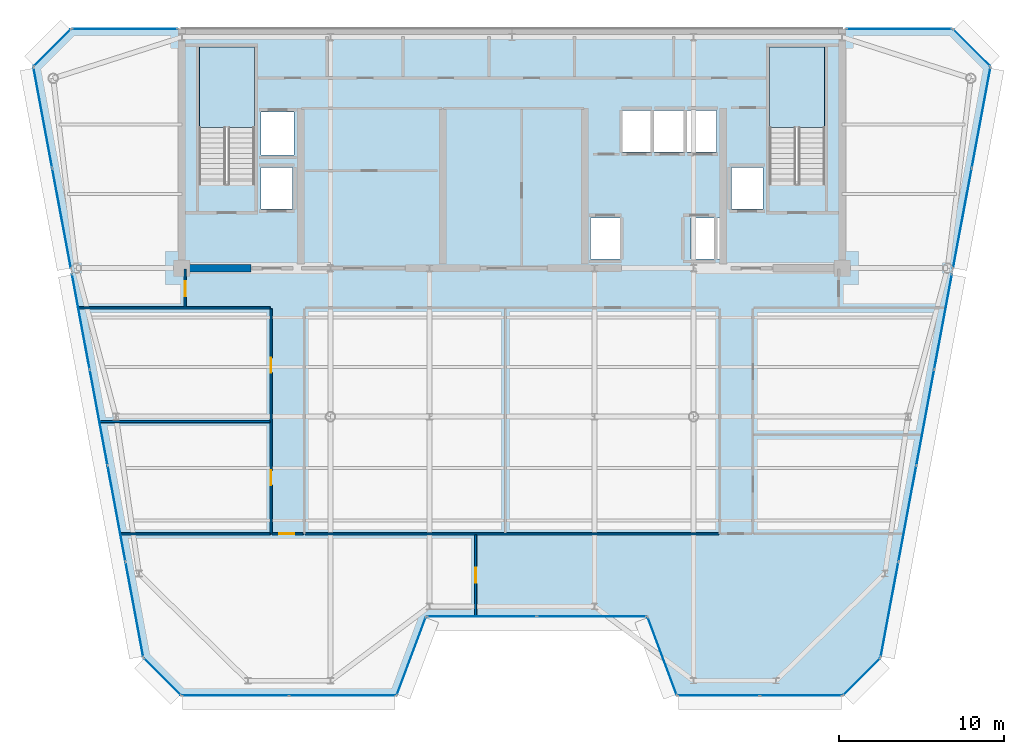
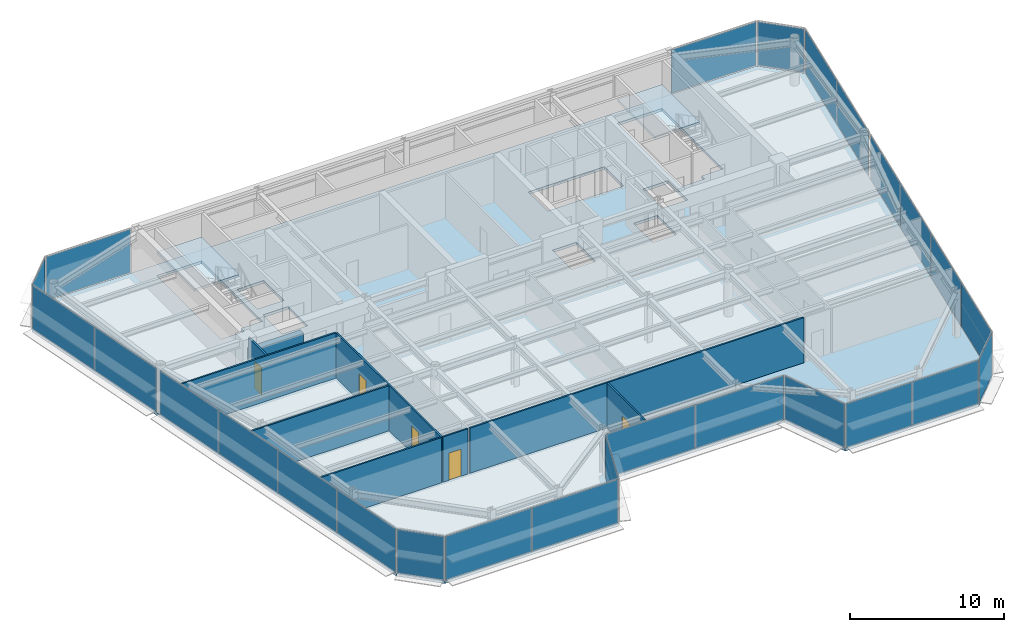
# One storey, part 9 of 19: 26 plates, 9 walls, 5 doors, 3 slabs, 5 openings, 17 elements without a shape of their own.
"""IFC4 building model written with IfcOpenShell, lengths in metres."""

from ifc_helpers import new_model, si_unit, direction, frame, frame_2d, origin, origin_2d, place, context, subcontext, project, spatial, polyline, rectangle, outline, extrude, source, transform, mapped, material, layer, layer_set, type_object, element, fill, aggregate, save


model = new_model("IFC4")

# Units and contexts
model_context = context("Model", 3, precision=1e-05, world=origin(), true_north=direction((0.0, 1.0)))
body_context = subcontext(model_context, "Body", "Model", "MODEL_VIEW")
ifc_project = project(units=[si_unit("LENGTHUNIT", "METRE"), si_unit("AREAUNIT", "SQUARE_METRE"), si_unit("VOLUMEUNIT", "CUBIC_METRE"), si_unit("PLANEANGLEUNIT", "RADIAN"), si_unit("MASSUNIT", "GRAM", prefix="KILO")], contexts=[model_context])

# Site, building, storey
site_placement = place(None, origin())
site = spatial("IfcSite", under=ifc_project, at=site_placement, CompositionType="ELEMENT")
building_placement = place(site_placement, origin())
building = spatial("IfcBuilding", under=site, at=building_placement, Name="Vaeldorn Concourse Tower", CompositionType="ELEMENT")
storey_placement = place(building_placement, frame((0.0, 0.0, 249.800048828125)))
storey = spatial("IfcBuildingStorey", under=building, at=storey_placement, Name="L64", CompositionType="ELEMENT", Elevation=249.800048828125)

# Stair, slab
ifc_material_1 = material(Name="Precast concrete C40/50", Category="concrete")
stair_type = type_object("IfcStairType", Name="STR-DOG-24x158", PredefinedType="HALF_TURN_STAIR", material=ifc_material_1)
stair_1_placement = place(storey_placement, origin())
stair_1 = element("IfcStair", 1, at=stair_1_placement, inside=storey, type_object=stair_type, Name="L64 West Core Exit Stair ST-1", PredefinedType="HALF_TURN_STAIR")
ifc_material_2 = material(Name="Concrete C40/50", Category="concrete")
ifc_layer_1 = layer(ifc_material_2, 0.199951171875)
ifc_layer_set_1 = layer_set([ifc_layer_1], Name="Concrete C40/50")
slab_type_1 = type_object("IfcSlabType", Name="SL-STAIR-LANDING", PredefinedType="LANDING", material=ifc_layer_set_1)
slab_1_placement = place(storey_placement, frame((0.0, 0.0, 1.699951171875)))
slab_1 = element("IfcSlab", 2, at=slab_1_placement, type_object=slab_type_1, Name="ST-1 landing 1", PredefinedType="LANDING", context=body_context, shape_type="SweptSolid", body=[
    extrude(outline(polyline([(18.39990234375, 45.010009765625), (18.39990234375, 49.89990234375), (15.050048828125, 49.89990234375), (15.050048828125, 45.010009765625), (18.39990234375, 45.010009765625)])), origin(), (0.0, 0.0, 1.0), 0.199951171875),
])
aggregate(stair_1, [slab_1])

stair_2_placement = place(storey_placement, origin())
stair_2 = element("IfcStair", 3, at=stair_2_placement, inside=storey, type_object=stair_type, Name="L64 East Core Exit Stair ST-2", PredefinedType="HALF_TURN_STAIR")
slab_2_placement = place(storey_placement, frame((0.0, 0.0, 1.699951171875)))
slab_2 = element("IfcSlab", 4, at=slab_2_placement, type_object=slab_type_1, Name="ST-2 landing 1", PredefinedType="LANDING", context=body_context, shape_type="SweptSolid", body=[
    extrude(outline(polyline([(52.949951171875, 45.010009765625), (52.949951171875, 49.89990234375), (49.60009765625, 49.89990234375), (49.60009765625, 45.010009765625), (52.949951171875, 45.010009765625)])), origin(), (0.0, 0.0, 1.0), 0.199951171875),
])
aggregate(stair_2, [slab_2])

# Slab
ifc_layer_2 = layer(ifc_material_2, 0.219970703125)
ifc_layer_set_2 = layer_set([ifc_layer_2], Name="Concrete C40/50")
slab_type_2 = type_object("IfcSlabType", Name="SL-TYP-220", PredefinedType="FLOOR", material=ifc_layer_set_2)
slab_3_placement = place(storey_placement, frame((0.0, 0.0, -0.219970703125)))
element("IfcSlab", 5, at=slab_3_placement, inside=storey, type_object=slab_type_2, Name="Structural Floor Slab L64", PredefinedType="FLOOR", context=body_context, shape_type="SweptSolid", body=[
    extrude(outline(polyline([(13.966064453125, 10.60009765625), (27.0, 10.60009765625), (28.800048828125, 15.39990234375), (42.199951171875, 15.39990234375), (44.0, 10.60009765625), (54.033935546875, 10.60009765625), (56.333984375, 12.89990234375), (63.0, 48.699951171875), (60.699951171875, 51.0), (7.300048828125, 51.0), (5.0, 48.699951171875), (11.666015625, 12.89990234375), (13.966064453125, 10.60009765625)]), holes=[polyline([(18.39990234375, 42.0), (18.39990234375, 49.89990234375), (15.050048828125, 49.89990234375), (15.050048828125, 41.60009765625), (16.800048828125, 41.60009765625), (16.800048828125, 42.0), (18.39990234375, 42.0)]), polyline([(52.949951171875, 42.0), (52.949951171875, 49.89990234375), (49.60009765625, 49.89990234375), (49.60009765625, 41.60009765625), (51.35009765625, 41.60009765625), (51.35009765625, 42.0), (52.949951171875, 42.0)]), polyline([(38.75, 37.050048828125), (40.550048828125, 37.050048828125), (40.550048828125, 39.550048828125), (38.75, 39.550048828125), (38.75, 37.050048828125)]), polyline([(44.85009765625, 37.050048828125), (46.64990234375, 37.050048828125), (46.64990234375, 39.550048828125), (44.85009765625, 39.550048828125), (44.85009765625, 37.050048828125)]), polyline([(40.699951171875, 43.550048828125), (46.39990234375, 43.550048828125), (46.39990234375, 46.050048828125), (40.699951171875, 46.050048828125), (40.699951171875, 43.550048828125)]), polyline([(18.800048828125, 43.35009765625), (20.800048828125, 43.35009765625), (20.800048828125, 45.949951171875), (18.800048828125, 45.949951171875), (18.800048828125, 43.35009765625)]), polyline([(18.800048828125, 40.10009765625), (20.699951171875, 40.10009765625), (20.699951171875, 42.60009765625), (18.800048828125, 42.60009765625), (18.800048828125, 40.10009765625)]), polyline([(47.300048828125, 40.10009765625), (49.199951171875, 40.10009765625), (49.199951171875, 42.60009765625), (47.300048828125, 42.60009765625), (47.300048828125, 40.10009765625)])]), origin(), (0.0, 0.0, 1.0), 0.219970703125),
])

# Curtain wall, plate
ifc_material_3 = material(Name="Anodised Bronze Aluminium", Category="aluminium")
ifc_layer_3 = layer(ifc_material_3, 0.179931640625)
ifc_layer_set_3 = layer_set([ifc_layer_3], Name="Anodised Bronze Aluminium")
curtain_wall_type = type_object("IfcCurtainWallType", Name="CW-SYS-05", PredefinedType="NOTDEFINED", material=ifc_layer_set_3)
curtain_wall_1_placement = place(storey_placement, origin())
curtain_wall_1 = element("IfcCurtainWall", 6, at=curtain_wall_1_placement, inside=storey, type_object=curtain_wall_type, Name="Unitised Curtain Wall CW-L64-E02-1", PredefinedType="NOTDEFINED")
ifc_material_4 = material(Name="Bronze Tinted Low-E Insulated Glass", Category="glass")
ifc_layer_4 = layer(ifc_material_4, 0.031982421875)
ifc_layer_set_4 = layer_set([ifc_layer_4], Name="Bronze Tinted Low-E Insulated Glass")
plate_type = type_object("IfcPlateType", Name="CWP-VISION-32", PredefinedType="CURTAIN_PANEL", material=ifc_layer_set_4)
shared_shape_1 = source(origin(), body_context, "Body", "SweptSolid", [
    extrude(rectangle(XDim=4.996337890625, YDim=0.031982421875, at=origin_2d()), origin(), (0.0, 0.0, 1.0), 3.449951171875),
])
plate_1_placement = place(storey_placement, frame((27.89990234375, 13.0, 0.06494140625), z_axis=(0.0, 0.0, 1.0), x_axis=(0.351123441595, 0.936329177566, 0.0)))
plate_1 = element("IfcPlate", 7, at=plate_1_placement, type_object=plate_type, Name="CW-05 panel 1.1", PredefinedType="CURTAIN_PANEL", context=body_context, shape_type="MappedRepresentation", body=[
    mapped(shared_shape_1, transform((0.0, 0.0, 0.0), scale=1.0)),
])
aggregate(curtain_wall_1, [plate_1])

curtain_wall_2_placement = place(storey_placement, origin())
curtain_wall_2 = element("IfcCurtainWall", 8, at=curtain_wall_2_placement, inside=storey, type_object=curtain_wall_type, Name="Unitised Curtain Wall CW-L64-E04-1", PredefinedType="NOTDEFINED")
plate_2_placement = place(storey_placement, frame((43.10009765625, 13.0, 0.06494140625), z_axis=(0.0, 0.0, 1.0), x_axis=(0.351123441595, -0.936329177566, 0.0)))
plate_2 = element("IfcPlate", 9, at=plate_2_placement, type_object=plate_type, Name="CW-05 panel 1.1", PredefinedType="CURTAIN_PANEL", context=body_context, shape_type="MappedRepresentation", body=[
    mapped(shared_shape_1, transform((0.0, 0.0, 0.0), scale=1.0)),
])
aggregate(curtain_wall_2, [plate_2])

# Curtain wall, plates
curtain_wall_3_placement = place(storey_placement, origin())
curtain_wall_3 = element("IfcCurtainWall", 10, at=curtain_wall_3_placement, inside=storey, type_object=curtain_wall_type, Name="Unitised Curtain Wall CW-L64-E03-1", PredefinedType="NOTDEFINED")
shared_shape_2 = source(origin(), body_context, "Body", "SweptSolid", [
    extrude(rectangle(XDim=6.6025390625, YDim=0.031982421875, at=origin_2d()), origin(), (0.0, 0.0, 1.0), 3.449951171875),
])
plate_3_placement = place(storey_placement, frame((32.166259765625, 15.39990234375, 0.06494140625), z_axis=(0.0, 0.0, 1.0), x_axis=(1.0, 0.0, 0.0)))
plate_3 = element("IfcPlate", 11, at=plate_3_placement, type_object=plate_type, Name="CW-05 panel 1.1", PredefinedType="CURTAIN_PANEL", context=body_context, shape_type="MappedRepresentation", body=[
    mapped(shared_shape_2, transform((0.0, 0.0, 0.0), scale=1.0)),
])
plate_4_placement = place(storey_placement, frame((38.833740234375, 15.39990234375, 0.06494140625), z_axis=(0.0, 0.0, 1.0), x_axis=(1.0, 0.0, 0.0)))
plate_4 = element("IfcPlate", 12, at=plate_4_placement, type_object=plate_type, Name="CW-05 panel 2.1", PredefinedType="CURTAIN_PANEL", context=body_context, shape_type="MappedRepresentation", body=[
    mapped(shared_shape_2, transform((0.0, 0.0, 0.0), scale=1.0)),
])
aggregate(curtain_wall_3, [plate_3, plate_4])

# Curtain wall, plate
curtain_wall_4_placement = place(storey_placement, origin())
curtain_wall_4 = element("IfcCurtainWall", 13, at=curtain_wall_4_placement, inside=storey, type_object=curtain_wall_type, Name="Unitised Curtain Wall CW-L64-E06-1", PredefinedType="NOTDEFINED")
shared_shape_3 = source(origin(), body_context, "Body", "SweptSolid", [
    extrude(rectangle(XDim=3.122802734375, YDim=0.031982421875, at=origin_2d()), origin(), (0.0, 0.0, 1.0), 3.449951171875),
])
plate_5_placement = place(storey_placement, frame((55.18408203125, 11.75, 0.06494140625), z_axis=(0.0, 0.0, 1.0), x_axis=(0.707106781187, 0.707106781187, 0.0)))
plate_5 = element("IfcPlate", 14, at=plate_5_placement, type_object=plate_type, Name="CW-05 panel 1.1", PredefinedType="CURTAIN_PANEL", context=body_context, shape_type="MappedRepresentation", body=[
    mapped(shared_shape_3, transform((0.0, 0.0, 0.0), scale=1.0)),
])
aggregate(curtain_wall_4, [plate_5])

curtain_wall_5_placement = place(storey_placement, origin())
curtain_wall_5 = element("IfcCurtainWall", 15, at=curtain_wall_5_placement, inside=storey, type_object=curtain_wall_type, Name="Unitised Curtain Wall CW-L64-E08-1", PredefinedType="NOTDEFINED")
plate_6_placement = place(storey_placement, frame((61.85009765625, 49.85009765625, 0.06494140625), z_axis=(0.0, 0.0, 1.0), x_axis=(-0.707106781187, 0.707106781187, 0.0)))
plate_6 = element("IfcPlate", 16, at=plate_6_placement, type_object=plate_type, Name="CW-05 panel 1.1", PredefinedType="CURTAIN_PANEL", context=body_context, shape_type="MappedRepresentation", body=[
    mapped(shared_shape_3, transform((0.0, 0.0, 0.0), scale=1.0)),
])
aggregate(curtain_wall_5, [plate_6])

curtain_wall_6_placement = place(storey_placement, origin())
curtain_wall_6 = element("IfcCurtainWall", 17, at=curtain_wall_6_placement, inside=storey, type_object=curtain_wall_type, Name="Unitised Curtain Wall CW-L64-E10-1", PredefinedType="NOTDEFINED")
plate_7_placement = place(storey_placement, frame((6.14990234375, 49.85009765625, 0.06494140625), z_axis=(0.0, 0.0, 1.0), x_axis=(-0.707106781187, -0.707106781187, 0.0)))
plate_7 = element("IfcPlate", 18, at=plate_7_placement, type_object=plate_type, Name="CW-05 panel 1.1", PredefinedType="CURTAIN_PANEL", context=body_context, shape_type="MappedRepresentation", body=[
    mapped(shared_shape_3, transform((0.0, 0.0, 0.0), scale=1.0)),
])
aggregate(curtain_wall_6, [plate_7])

curtain_wall_7_placement = place(storey_placement, origin())
curtain_wall_7 = element("IfcCurtainWall", 19, at=curtain_wall_7_placement, inside=storey, type_object=curtain_wall_type, Name="Unitised Curtain Wall CW-L64-E12-1", PredefinedType="NOTDEFINED")
plate_8_placement = place(storey_placement, frame((12.81591796875, 11.75, 0.06494140625), z_axis=(0.0, 0.0, 1.0), x_axis=(0.707106781187, -0.707106781187, 0.0)))
plate_8 = element("IfcPlate", 20, at=plate_8_placement, type_object=plate_type, Name="CW-05 panel 1.1", PredefinedType="CURTAIN_PANEL", context=body_context, shape_type="MappedRepresentation", body=[
    mapped(shared_shape_3, transform((0.0, 0.0, 0.0), scale=1.0)),
])
aggregate(curtain_wall_7, [plate_8])

# Curtain wall, plates
curtain_wall_8_placement = place(storey_placement, origin())
curtain_wall_8 = element("IfcCurtainWall", 21, at=curtain_wall_8_placement, inside=storey, type_object=curtain_wall_type, Name="Unitised Curtain Wall CW-L64-E07-1", PredefinedType="NOTDEFINED")
shared_shape_4 = source(origin(), body_context, "Body", "SweptSolid", [
    extrude(rectangle(XDim=5.82373046875, YDim=0.031982421875, at=origin_2d()), origin(), (0.0, 0.0, 1.0), 3.449951171875),
])
plate_9_placement = place(storey_placement, frame((56.87890625, 15.82666015625, 0.06494140625), z_axis=(0.0, 0.0, 1.0), x_axis=(0.18305510739, 0.983102653673, 0.0)))
plate_9 = element("IfcPlate", 22, at=plate_9_placement, type_object=plate_type, Name="CW-05 panel 1.1", PredefinedType="CURTAIN_PANEL", context=body_context, shape_type="MappedRepresentation", body=[
    mapped(shared_shape_4, transform((0.0, 0.0, 0.0), scale=1.0)),
])
plate_10_placement = place(storey_placement, frame((60.124755859375, 33.25830078125, 0.06494140625), z_axis=(0.0, 0.0, 1.0), x_axis=(0.18305510739, 0.983102653673, 0.0)))
plate_10 = element("IfcPlate", 23, at=plate_10_placement, type_object=plate_type, Name="CW-05 panel 4.1", PredefinedType="CURTAIN_PANEL", context=body_context, shape_type="MappedRepresentation", body=[
    mapped(shared_shape_4, transform((0.0, 0.0, 0.0), scale=1.0)),
])

curtain_wall_9_placement = place(storey_placement, origin())
curtain_wall_9 = element("IfcCurtainWall", 24, at=curtain_wall_9_placement, inside=storey, type_object=curtain_wall_type, Name="Unitised Curtain Wall CW-L64-E11-2", PredefinedType="NOTDEFINED")
plate_11_placement = place(storey_placement, frame((7.875244140625, 33.25830078125, 0.06494140625), z_axis=(0.0, 0.0, 1.0), x_axis=(0.18305510739, -0.983102653673, 0.0)))
plate_11 = element("IfcPlate", 25, at=plate_11_placement, type_object=plate_type, Name="CW-05 panel 1.1", PredefinedType="CURTAIN_PANEL", context=body_context, shape_type="MappedRepresentation", body=[
    mapped(shared_shape_4, transform((0.0, 0.0, 0.0), scale=1.0)),
])
plate_12_placement = place(storey_placement, frame((11.12109375, 15.82666015625, 0.06494140625), z_axis=(0.0, 0.0, 1.0), x_axis=(0.18305510739, -0.983102653673, 0.0)))
plate_12 = element("IfcPlate", 26, at=plate_12_placement, type_object=plate_type, Name="CW-05 panel 4.1", PredefinedType="CURTAIN_PANEL", context=body_context, shape_type="MappedRepresentation", body=[
    mapped(shared_shape_4, transform((0.0, 0.0, 0.0), scale=1.0)),
])

# Plate
shared_shape_5 = source(origin(), body_context, "Body", "SweptSolid", [
    extrude(rectangle(XDim=5.856201171875, YDim=0.031982421875, at=origin_2d()), origin(), (0.0, 0.0, 1.0), 3.449951171875),
])
plate_13_placement = place(storey_placement, frame((57.9599609375, 21.6318359375, 0.06494140625), z_axis=(0.0, 0.0, 1.0), x_axis=(0.18305510739, 0.983102653673, 0.0)))
plate_13 = element("IfcPlate", 27, at=plate_13_placement, type_object=plate_type, Name="CW-05 panel 2.1", PredefinedType="CURTAIN_PANEL", context=body_context, shape_type="MappedRepresentation", body=[
    mapped(shared_shape_5, transform((0.0, 0.0, 0.0), scale=1.0)),
])

plate_14_placement = place(storey_placement, frame((59.043701171875, 27.453125, 0.06494140625), z_axis=(0.0, 0.0, 1.0), x_axis=(0.18305510739, 0.983102653673, 0.0)))
plate_14 = element("IfcPlate", 28, at=plate_14_placement, type_object=plate_type, Name="CW-05 panel 3.1", PredefinedType="CURTAIN_PANEL", context=body_context, shape_type="MappedRepresentation", body=[
    mapped(shared_shape_5, transform((0.0, 0.0, 0.0), scale=1.0)),
])

aggregate(curtain_wall_8, [plate_9, plate_13, plate_14, plate_10])

plate_15_placement = place(storey_placement, frame((8.956298828125, 27.453125, 0.06494140625), z_axis=(0.0, 0.0, 1.0), x_axis=(0.18305510739, -0.983102653673, 0.0)))
plate_15 = element("IfcPlate", 29, at=plate_15_placement, type_object=plate_type, Name="CW-05 panel 2.1", PredefinedType="CURTAIN_PANEL", context=body_context, shape_type="MappedRepresentation", body=[
    mapped(shared_shape_5, transform((0.0, 0.0, 0.0), scale=1.0)),
])

plate_16_placement = place(storey_placement, frame((10.0400390625, 21.6318359375, 0.06494140625), z_axis=(0.0, 0.0, 1.0), x_axis=(0.18305510739, -0.983102653673, 0.0)))
plate_16 = element("IfcPlate", 30, at=plate_16_placement, type_object=plate_type, Name="CW-05 panel 3.1", PredefinedType="CURTAIN_PANEL", context=body_context, shape_type="MappedRepresentation", body=[
    mapped(shared_shape_5, transform((0.0, 0.0, 0.0), scale=1.0)),
])

aggregate(curtain_wall_9, [plate_11, plate_15, plate_16, plate_12])

# Curtain wall, plates
curtain_wall_10_placement = place(storey_placement, origin())
curtain_wall_10 = element("IfcCurtainWall", 31, at=curtain_wall_10_placement, inside=storey, type_object=curtain_wall_type, Name="Unitised Curtain Wall CW-L64-E07-2", PredefinedType="NOTDEFINED")
shared_shape_6 = source(origin(), body_context, "Body", "SweptSolid", [
    extrude(rectangle(XDim=6.143798828125, YDim=0.031982421875, at=origin_2d()), origin(), (0.0, 0.0, 1.0), 3.449951171875),
])
plate_17_placement = place(storey_placement, frame((61.289306640625, 39.51220703125, 0.06494140625), z_axis=(0.0, 0.0, 1.0), x_axis=(0.183054493257, 0.983102768025, 0.0)))
plate_17 = element("IfcPlate", 32, at=plate_17_placement, type_object=plate_type, Name="CW-05 panel 1.1", PredefinedType="CURTAIN_PANEL", context=body_context, shape_type="MappedRepresentation", body=[
    mapped(shared_shape_6, transform((0.0, 0.0, 0.0), scale=1.0)),
])
plate_18_placement = place(storey_placement, frame((62.42578125, 45.6162109375, 0.06494140625), z_axis=(0.0, 0.0, 1.0), x_axis=(0.183054493257, 0.983102768025, 0.0)))
plate_18 = element("IfcPlate", 33, at=plate_18_placement, type_object=plate_type, Name="CW-05 panel 2.1", PredefinedType="CURTAIN_PANEL", context=body_context, shape_type="MappedRepresentation", body=[
    mapped(shared_shape_6, transform((0.0, 0.0, 0.0), scale=1.0)),
])
aggregate(curtain_wall_10, [plate_17, plate_18])

curtain_wall_11_placement = place(storey_placement, origin())
curtain_wall_11 = element("IfcCurtainWall", 34, at=curtain_wall_11_placement, inside=storey, type_object=curtain_wall_type, Name="Unitised Curtain Wall CW-L64-E11-1", PredefinedType="NOTDEFINED")
plate_19_placement = place(storey_placement, frame((5.57421875, 45.6162109375, 0.06494140625), z_axis=(0.0, 0.0, 1.0), x_axis=(0.183054493257, -0.983102768025, 0.0)))
plate_19 = element("IfcPlate", 35, at=plate_19_placement, type_object=plate_type, Name="CW-05 panel 1.1", PredefinedType="CURTAIN_PANEL", context=body_context, shape_type="MappedRepresentation", body=[
    mapped(shared_shape_6, transform((0.0, 0.0, 0.0), scale=1.0)),
])
plate_20_placement = place(storey_placement, frame((6.710693359375, 39.51220703125, 0.06494140625), z_axis=(0.0, 0.0, 1.0), x_axis=(0.183054493257, -0.983102768025, 0.0)))
plate_20 = element("IfcPlate", 36, at=plate_20_placement, type_object=plate_type, Name="CW-05 panel 2.1", PredefinedType="CURTAIN_PANEL", context=body_context, shape_type="MappedRepresentation", body=[
    mapped(shared_shape_6, transform((0.0, 0.0, 0.0), scale=1.0)),
])
aggregate(curtain_wall_11, [plate_19, plate_20])

curtain_wall_12_placement = place(storey_placement, origin())
curtain_wall_12 = element("IfcCurtainWall", 37, at=curtain_wall_12_placement, inside=storey, type_object=curtain_wall_type, Name="Unitised Curtain Wall CW-L64-E01-1", PredefinedType="NOTDEFINED")
shared_shape_7 = source(origin(), body_context, "Body", "SweptSolid", [
    extrude(rectangle(XDim=6.41943359375, YDim=0.031982421875, at=origin_2d()), origin(), (0.0, 0.0, 1.0), 3.449951171875),
])
plate_21_placement = place(storey_placement, frame((17.24072265625, 10.60009765625, 0.06494140625), z_axis=(0.0, 0.0, 1.0), x_axis=(1.0, 0.0, 0.0)))
plate_21 = element("IfcPlate", 38, at=plate_21_placement, type_object=plate_type, Name="CW-05 panel 1.1", PredefinedType="CURTAIN_PANEL", context=body_context, shape_type="MappedRepresentation", body=[
    mapped(shared_shape_7, transform((0.0, 0.0, 0.0), scale=1.0)),
])
plate_22_placement = place(storey_placement, frame((23.725341796875, 10.60009765625, 0.06494140625), z_axis=(0.0, 0.0, 1.0), x_axis=(1.0, 0.0, 0.0)))
plate_22 = element("IfcPlate", 39, at=plate_22_placement, type_object=plate_type, Name="CW-05 panel 2.1", PredefinedType="CURTAIN_PANEL", context=body_context, shape_type="MappedRepresentation", body=[
    mapped(shared_shape_7, transform((0.0, 0.0, 0.0), scale=1.0)),
])
aggregate(curtain_wall_12, [plate_21, plate_22])

curtain_wall_13_placement = place(storey_placement, origin())
curtain_wall_13 = element("IfcCurtainWall", 40, at=curtain_wall_13_placement, inside=storey, type_object=curtain_wall_type, Name="Unitised Curtain Wall CW-L64-E05-1", PredefinedType="NOTDEFINED")
shared_shape_8 = source(origin(), body_context, "Body", "SweptSolid", [
    extrude(rectangle(XDim=4.91943359375, YDim=0.031982421875, at=origin_2d()), origin(), (0.0, 0.0, 1.0), 3.449951171875),
])
plate_23_placement = place(storey_placement, frame((46.524658203125, 10.60009765625, 0.06494140625), z_axis=(0.0, 0.0, 1.0), x_axis=(1.0, 0.0, 0.0)))
plate_23 = element("IfcPlate", 41, at=plate_23_placement, type_object=plate_type, Name="CW-05 panel 1.1", PredefinedType="CURTAIN_PANEL", context=body_context, shape_type="MappedRepresentation", body=[
    mapped(shared_shape_8, transform((0.0, 0.0, 0.0), scale=1.0)),
])
plate_24_placement = place(storey_placement, frame((51.50927734375, 10.60009765625, 0.06494140625), z_axis=(0.0, 0.0, 1.0), x_axis=(1.0, 0.0, 0.0)))
plate_24 = element("IfcPlate", 42, at=plate_24_placement, type_object=plate_type, Name="CW-05 panel 2.1", PredefinedType="CURTAIN_PANEL", context=body_context, shape_type="MappedRepresentation", body=[
    mapped(shared_shape_8, transform((0.0, 0.0, 0.0), scale=1.0)),
])
aggregate(curtain_wall_13, [plate_23, plate_24])

# Curtain wall, plate
curtain_wall_14_placement = place(storey_placement, origin())
curtain_wall_14 = element("IfcCurtainWall", 43, at=curtain_wall_14_placement, inside=storey, type_object=curtain_wall_type, Name="Unitised Curtain Wall CW-L64-E09-1", PredefinedType="NOTDEFINED")
shared_shape_9 = source(origin(), body_context, "Body", "SweptSolid", [
    extrude(rectangle(XDim=6.35009765625, YDim=0.031982421875, at=origin_2d()), origin(), (0.0, 0.0, 1.0), 3.449951171875),
])
plate_25_placement = place(storey_placement, frame((57.4599609375, 51.0, 0.06494140625), z_axis=(0.0, 0.0, 1.0), x_axis=(-1.0, 0.0, 0.0)))
plate_25 = element("IfcPlate", 44, at=plate_25_placement, type_object=plate_type, Name="CW-05 panel 1.1", PredefinedType="CURTAIN_PANEL", context=body_context, shape_type="MappedRepresentation", body=[
    mapped(shared_shape_9, transform((0.0, 0.0, 0.0), scale=1.0)),
])
aggregate(curtain_wall_14, [plate_25])

curtain_wall_15_placement = place(storey_placement, origin())
curtain_wall_15 = element("IfcCurtainWall", 45, at=curtain_wall_15_placement, inside=storey, type_object=curtain_wall_type, Name="Unitised Curtain Wall CW-L64-E09-2", PredefinedType="NOTDEFINED")
plate_26_placement = place(storey_placement, frame((10.5400390625, 51.0, 0.06494140625), z_axis=(0.0, 0.0, 1.0), x_axis=(-1.0, 0.0, 0.0)))
plate_26 = element("IfcPlate", 46, at=plate_26_placement, type_object=plate_type, Name="CW-05 panel 1.1", PredefinedType="CURTAIN_PANEL", context=body_context, shape_type="MappedRepresentation", body=[
    mapped(shared_shape_9, transform((0.0, 0.0, 0.0), scale=1.0)),
])
aggregate(curtain_wall_15, [plate_26])

# Walls
ifc_material_5 = material(Name="Concrete C50/60", Category="concrete")
ifc_layer_5 = layer(ifc_material_5, 0.449951171875)
ifc_layer_set_5 = layer_set([ifc_layer_5], Name="Concrete C50/60")
wall_type_1 = type_object("IfcWallType", Name="WL-CORE-450", PredefinedType="SHEAR", material=ifc_layer_set_5)
wall_1_placement = place(storey_placement, frame((14.2451171875, 36.5, 0.0), z_axis=(0.0, 0.0, 1.0), x_axis=(1.0, 0.0, 0.0)))
element("IfcWall", 47, at=wall_1_placement, inside=storey, type_object=wall_type_1, Name="Rear Core Shear Wall L64 S1", PredefinedType="SHEAR", context=body_context, shape_type="SweptSolid", body=[
    extrude(rectangle(XDim=3.954833984375, YDim=0.449951171875, at=frame_2d((1.9775390625, 0.0))), origin(), (0.0, 0.0, 1.0), 2.579833984375),
])
ifc_material_6 = material(Name="Gypsum Board Partition", Category="gypsum")
ifc_layer_6 = layer(ifc_material_6, 0.1201171875)
ifc_layer_set_6 = layer_set([ifc_layer_6], Name="Gypsum Board Partition")
wall_type_2 = type_object("IfcWallType", Name="WL-PART-120", PredefinedType="PARTITIONING", material=ifc_layer_set_6)
wall_2_placement = place(storey_placement, frame((7.758544921875, 34.10009765625, 0.0), z_axis=(0.0, 0.0, 1.0), x_axis=(1.0, 0.0, 0.0)))
element("IfcWall", 48, at=wall_2_placement, inside=storey, type_object=wall_type_2, Name="Interior Wall PW-L64-CEWW", PredefinedType="PARTITIONING", context=body_context, shape_type="SweptSolid", body=[
    extrude(rectangle(XDim=11.58154296875, YDim=0.1201171875, at=frame_2d((5.790771484375, 0.0))), origin(), (0.0, 0.0, 1.0), 3.579833984375),
])

# Wall, opening, door
wall_3_placement = place(storey_placement, frame((14.199951171875, 34.159912109375, 0.0), z_axis=(0.0, 0.0, 1.0), x_axis=(0.0, 1.0, 0.0)))
wall_3 = element("IfcWall", 49, at=wall_3_placement, inside=storey, type_object=wall_type_2, Name="Interior Wall PW-L64-CWWT", PredefinedType="PARTITIONING", context=body_context, shape_type="SweptSolid", body=[
    extrude(rectangle(XDim=2.280029296875, YDim=0.1201171875, at=frame_2d((1.14013671875, 0.0))), origin(), (0.0, 0.0, 1.0), 3.579833984375),
])
opening_1_placement = place(wall_3_placement, frame((0.64990234375, 0.0, 0.0)))
opening_1 = element("IfcOpeningElement", 50, at=opening_1_placement, cuts=wall_3, Name="Opening D-03", PredefinedType="OPENING", context=body_context, shape_type="SweptSolid", body=[
    extrude(rectangle(XDim=0.89990234375, YDim=2.14990234375, at=frame_2d((0.449951171875, 1.074951171875))), frame((0.0, 0.070068359375, 0.0), z_axis=(0.0, -1.0, 0.0), x_axis=(1.0, 0.0, 0.0)), (0.0, 0.0, 1.0), 0.14013671875),
])
ifc_material_7 = material(Name="Acoustic Bronze-Framed Glass Door", Category="glass")
door_type = type_object("IfcDoorType", Name="DR-INT-900", OperationType="NOTDEFINED", PredefinedType="DOOR", material=ifc_material_7)
shared_shape_10 = source(origin(), body_context, "Body", "SweptSolid", [
    extrude(rectangle(XDim=0.89990234375, YDim=2.14990234375, at=frame_2d((0.449951171875, 1.074951171875))), frame((0.0, 0.02490234375, 0.0), z_axis=(0.0, -1.0, 0.0), x_axis=(1.0, 0.0, 0.0)), (0.0, 0.0, 1.0), 0.050048828125),
])
door_1_placement = place(opening_1_placement, origin())
door_1 = element("IfcDoor", 51, at=door_1_placement, inside=storey, type_object=door_type, Name="Interior Door DR-L64-NW1", OperationType="SINGLE_SWING_LEFT", OverallHeight=2.14990234375, OverallWidth=0.89990234375, PredefinedType="DOOR", context=body_context, shape_type="MappedRepresentation", body=[
    mapped(shared_shape_10, transform((0.0, 0.0, 0.0), scale=1.0)),
])
fill(opening_1, door_1)

# Wall, openings, doors
wall_4_placement = place(storey_placement, frame((19.39990234375, 20.39990234375, 0.0), z_axis=(0.0, 0.0, 1.0), x_axis=(0.0, 1.0, 0.0)))
wall_4 = element("IfcWall", 52, at=wall_4_placement, inside=storey, type_object=wall_type_2, Name="Interior Wall PW-L64-CWW", PredefinedType="PARTITIONING", context=body_context, shape_type="SweptSolid", body=[
    extrude(rectangle(XDim=13.64013671875, YDim=0.1201171875, at=frame_2d((6.820068359375, 0.0))), origin(), (0.0, 0.0, 1.0), 3.579833984375),
])
opening_2_placement = place(wall_4_placement, frame((2.949951171875, 0.0, 0.0)))
opening_2 = element("IfcOpeningElement", 53, at=opening_2_placement, cuts=wall_4, Name="Opening D-03", PredefinedType="OPENING", context=body_context, shape_type="SweptSolid", body=[
    extrude(rectangle(XDim=0.89990234375, YDim=2.14990234375, at=frame_2d((0.449951171875, 1.074951171875))), frame((0.0, 0.070068359375, 0.0), z_axis=(0.0, -1.0, 0.0), x_axis=(1.0, 0.0, 0.0)), (0.0, 0.0, 1.0), 0.14013671875),
])
opening_3_placement = place(wall_4_placement, frame((9.77001953125, 0.0, 0.0)))
opening_3 = element("IfcOpeningElement", 54, at=opening_3_placement, cuts=wall_4, Name="Opening D-03", PredefinedType="OPENING", context=body_context, shape_type="SweptSolid", body=[
    extrude(rectangle(XDim=0.89990234375, YDim=2.14990234375, at=frame_2d((0.449951171875, 1.074951171875))), frame((0.0, 0.070068359375, 0.0), z_axis=(0.0, -1.0, 0.0), x_axis=(1.0, 0.0, 0.0)), (0.0, 0.0, 1.0), 0.14013671875),
])
door_2_placement = place(opening_2_placement, origin())
door_2 = element("IfcDoor", 55, at=door_2_placement, inside=storey, type_object=door_type, Name="Interior Door DR-L64-W1", OperationType="SINGLE_SWING_LEFT", OverallHeight=2.14990234375, OverallWidth=0.89990234375, PredefinedType="DOOR", context=body_context, shape_type="MappedRepresentation", body=[
    mapped(shared_shape_10, transform((0.0, 0.0, 0.0), scale=1.0)),
])
fill(opening_2, door_2)
door_3_placement = place(opening_3_placement, origin())
door_3 = element("IfcDoor", 56, at=door_3_placement, inside=storey, type_object=door_type, Name="Interior Door DR-L64-W2", OperationType="SINGLE_SWING_RIGHT", OverallHeight=2.14990234375, OverallWidth=0.89990234375, PredefinedType="DOOR", context=body_context, shape_type="MappedRepresentation", body=[
    mapped(shared_shape_10, transform((0.0, 0.0, 0.0), scale=1.0)),
])
fill(opening_3, door_3)

# Wall, opening, door
wall_5_placement = place(storey_placement, frame((19.4599609375, 20.39990234375, 0.0), z_axis=(0.0, 0.0, 1.0), x_axis=(1.0, 0.0, 0.0)))
wall_5 = element("IfcWall", 57, at=wall_5_placement, inside=storey, type_object=wall_type_2, Name="Interior Wall PW-L64-CWS", PredefinedType="PARTITIONING", context=body_context, shape_type="SweptSolid", body=[
    extrude(rectangle(XDim=1.880126953125, YDim=0.1201171875, at=frame_2d((0.93994140625, 0.0))), origin(), (0.0, 0.0, 1.0), 3.579833984375),
])
opening_4_placement = place(wall_5_placement, frame((0.449951171875, 0.0, 0.0)))
opening_4 = element("IfcOpeningElement", 58, at=opening_4_placement, cuts=wall_5, Name="Opening D-03", PredefinedType="OPENING", context=body_context, shape_type="SweptSolid", body=[
    extrude(rectangle(XDim=0.89990234375, YDim=2.14990234375, at=frame_2d((0.449951171875, 1.074951171875))), frame((0.0, 0.070068359375, 0.0), z_axis=(0.0, -1.0, 0.0), x_axis=(1.0, 0.0, 0.0)), (0.0, 0.0, 1.0), 0.14013671875),
])
door_4_placement = place(opening_4_placement, origin())
door_4 = element("IfcDoor", 59, at=door_4_placement, inside=storey, type_object=door_type, Name="Interior Door DR-L64-SWL", OperationType="SINGLE_SWING_LEFT", OverallHeight=2.14990234375, OverallWidth=0.89990234375, PredefinedType="DOOR", context=body_context, shape_type="MappedRepresentation", body=[
    mapped(shared_shape_10, transform((0.0, 0.0, 0.0), scale=1.0)),
])
fill(opening_4, door_4)

# Walls
wall_6_placement = place(storey_placement, frame((10.3095703125, 20.39990234375, 0.0), z_axis=(0.0, 0.0, 1.0), x_axis=(1.0, 0.0, 0.0)))
element("IfcWall", 60, at=wall_6_placement, inside=storey, type_object=wall_type_2, Name="Interior Wall PW-L64-WY0", PredefinedType="PARTITIONING", context=body_context, shape_type="SweptSolid", body=[
    extrude(rectangle(XDim=9.030517578125, YDim=0.1201171875, at=frame_2d((4.51513671875, 0.0))), origin(), (0.0, 0.0, 1.0), 3.579833984375),
])
wall_7_placement = place(storey_placement, frame((9.043212890625, 27.199951171875, 0.0), z_axis=(0.0, 0.0, 1.0), x_axis=(1.0, 0.0, 0.0)))
element("IfcWall", 61, at=wall_7_placement, inside=storey, type_object=wall_type_2, Name="Interior Wall PW-L64-WY1", PredefinedType="PARTITIONING", context=body_context, shape_type="SweptSolid", body=[
    extrude(rectangle(XDim=10.296875, YDim=0.1201171875, at=frame_2d((5.1484375, 0.0))), origin(), (0.0, 0.0, 1.0), 3.579833984375),
])
wall_8_placement = place(storey_placement, frame((21.4599609375, 20.39990234375, 0.0), z_axis=(0.0, 0.0, 1.0), x_axis=(1.0, 0.0, 0.0)))
element("IfcWall", 62, at=wall_8_placement, inside=storey, type_object=wall_type_2, Name="Interior Wall PW-L64-HUBS", PredefinedType="PARTITIONING", context=body_context, shape_type="SweptSolid", body=[
    extrude(rectangle(XDim=25.080078125, YDim=0.1201171875, at=frame_2d((12.5400390625, 0.0))), origin(), (0.0, 0.0, 1.0), 3.579833984375),
])

# Wall, opening, door
wall_9_placement = place(storey_placement, frame((31.800048828125, 15.43994140625, 0.0), z_axis=(0.0, 0.0, 1.0), x_axis=(0.0, 1.0, 0.0)))
wall_9 = element("IfcWall", 63, at=wall_9_placement, inside=storey, type_object=wall_type_2, Name="Interior Wall PW-L64-SMID1", PredefinedType="PARTITIONING", context=body_context, shape_type="SweptSolid", body=[
    extrude(rectangle(XDim=4.900146484375, YDim=0.1201171875, at=frame_2d((2.4501953125, 0.0))), origin(), (0.0, 0.0, 1.0), 3.579833984375),
])
opening_5_placement = place(wall_9_placement, frame((2.0, 0.0, 0.0)))
opening_5 = element("IfcOpeningElement", 64, at=opening_5_placement, cuts=wall_9, Name="Opening D-03", PredefinedType="OPENING", context=body_context, shape_type="SweptSolid", body=[
    extrude(rectangle(XDim=0.89990234375, YDim=2.14990234375, at=frame_2d((0.449951171875, 1.074951171875))), frame((0.0, 0.070068359375, 0.0), z_axis=(0.0, -1.0, 0.0), x_axis=(1.0, 0.0, 0.0)), (0.0, 0.0, 1.0), 0.14013671875),
])
door_5_placement = place(opening_5_placement, origin())
door_5 = element("IfcDoor", 65, at=door_5_placement, inside=storey, type_object=door_type, Name="Interior Door DR-L64-SMID1", OperationType="SINGLE_SWING_RIGHT", OverallHeight=2.14990234375, OverallWidth=0.89990234375, PredefinedType="DOOR", context=body_context, shape_type="MappedRepresentation", body=[
    mapped(shared_shape_10, transform((0.0, 0.0, 0.0), scale=1.0)),
])
fill(opening_5, door_5)

save(model, "model.ifc")
